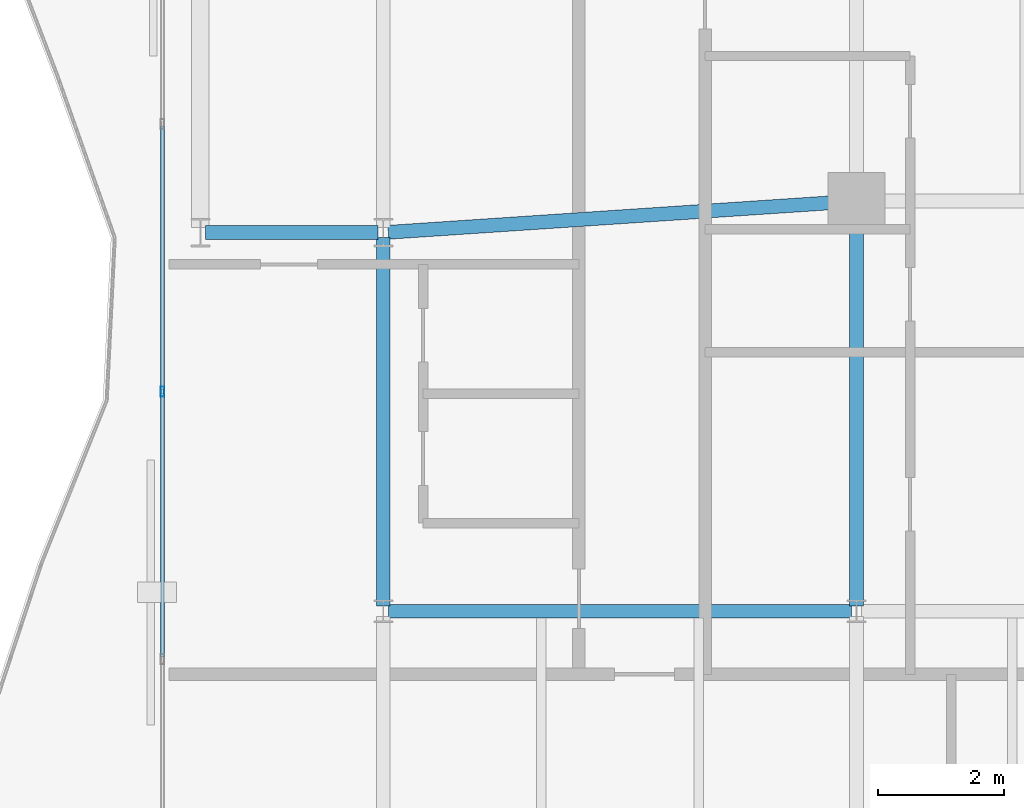
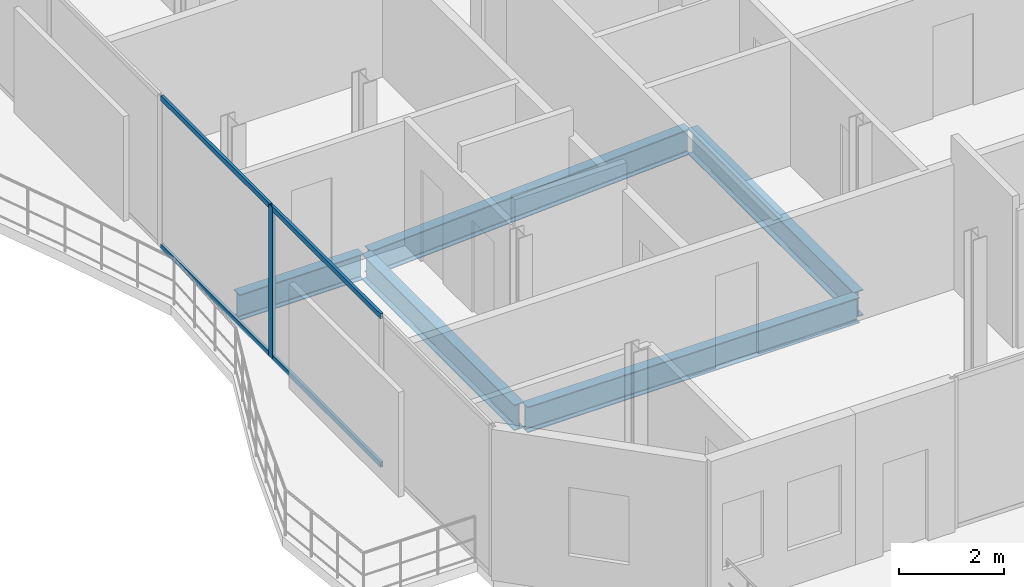
# One storey, part 6 of 22: 5 beams, 5 members, 1 element without a shape of its own.
"""IFC4 building model written with IfcOpenShell, lengths in metres."""

from ifc_helpers import new_model, si_unit, direction, frame, origin, origin_2d, place, context, subcontext, project, spatial, hollow_rectangle, i_section, extrude, material, layer, layer_set, material_profile, profile_set, type_object, element, aggregate, save


model = new_model("IFC4")

# Units and contexts
model_context = context("Model", 3, precision=1e-05, world=origin(), true_north=direction((0.0, 1.0)))
body_context = subcontext(model_context, "Body", "Model", "MODEL_VIEW")
ifc_project = project(units=[si_unit("LENGTHUNIT", "METRE"), si_unit("AREAUNIT", "SQUARE_METRE"), si_unit("VOLUMEUNIT", "CUBIC_METRE"), si_unit("PLANEANGLEUNIT", "RADIAN"), si_unit("MASSUNIT", "GRAM", prefix="KILO")], contexts=[model_context])

# Site, building, storey
site_placement = place(None, origin())
site = spatial("IfcSite", under=ifc_project, at=site_placement, CompositionType="ELEMENT")
building_placement = place(site_placement, origin())
building = spatial("IfcBuilding", under=site, at=building_placement, Name="Catumbela Crestline Tower", CompositionType="ELEMENT")
storey_placement = place(building_placement, frame((0.0, 0.0, 226.0)))
storey = spatial("IfcBuildingStorey", under=building, at=storey_placement, Name="L58", CompositionType="ELEMENT", Elevation=226.0)

# Beams
ifc_material_1 = material(Name="Structural steel S355J2", Category="steel")
ifc_material_profile_1 = material_profile(ifc_material_1, i_section(OverallWidth=0.22, OverallDepth=0.6, WebThickness=0.012, FlangeThickness=0.019, FilletRadius=0.024, at=origin_2d()), Name="IPE 600")
ifc_profile_set_1 = profile_set([ifc_material_profile_1], Name="Structural steel S355J2")
beam_type = type_object("IfcBeamType", Name="BG-IPE600", PredefinedType="BEAM", material=ifc_profile_set_1)
beam_1_placement = place(storey_placement, frame((5.68, 24.0, -0.56), z_axis=(1.0, 0.0, 0.0), x_axis=(0.0, 1.0, 0.0)))
element("IfcBeam", 1, at=beam_1_placement, inside=storey, type_object=beam_type, Name="L58 Beam BM-L58-S01", PredefinedType="BEAM", context=body_context, shape_type="SweptSolid", body=[
    extrude(i_section(OverallWidth=0.22, OverallDepth=0.6, WebThickness=0.012, FlangeThickness=0.019, FilletRadius=0.024, at=origin_2d()), origin(), (0.0, 0.0, 1.0), 2.74),
])
beam_2_placement = place(storey_placement, frame((8.5798, 24.0053, -0.56), z_axis=(0.997784796964, 0.066524423687, 0.0), x_axis=(-0.066524423687, 0.997784796964, 0.0)))
element("IfcBeam", 2, at=beam_2_placement, inside=storey, type_object=beam_type, Name="L58 Beam BM-L58-S02", PredefinedType="BEAM", context=body_context, shape_type="SweptSolid", body=[
    extrude(i_section(OverallWidth=0.22, OverallDepth=0.6, WebThickness=0.012, FlangeThickness=0.019, FilletRadius=0.024, at=origin_2d()), origin(), (0.0, 0.0, 1.0), 7.3567),
])
beam_3_placement = place(storey_placement, frame((8.58, 18.0, -0.56), z_axis=(1.0, 0.0, 0.0), x_axis=(0.0, 1.0, 0.0)))
element("IfcBeam", 3, at=beam_3_placement, inside=storey, type_object=beam_type, Name="L58 Beam BM-L58-WEW29", PredefinedType="BEAM", context=body_context, shape_type="SweptSolid", body=[
    extrude(i_section(OverallWidth=0.22, OverallDepth=0.6, WebThickness=0.012, FlangeThickness=0.019, FilletRadius=0.024, at=origin_2d()), origin(), (0.0, 0.0, 1.0), 7.34),
])
beam_4_placement = place(storey_placement, frame((8.5, 18.08, -0.56), z_axis=(0.0, 1.0, 0.0), x_axis=(-1.0, 0.0, 0.0)))
element("IfcBeam", 4, at=beam_4_placement, inside=storey, type_object=beam_type, Name="L58 Beam BM-L58-WNS32", PredefinedType="BEAM", context=body_context, shape_type="SweptSolid", body=[
    extrude(i_section(OverallWidth=0.22, OverallDepth=0.6, WebThickness=0.012, FlangeThickness=0.019, FilletRadius=0.024, at=origin_2d()), origin(), (0.0, 0.0, 1.0), 5.84),
])
beam_5_placement = place(storey_placement, frame((16.0, 18.08, -0.56), z_axis=(0.0, 1.0, 0.0), x_axis=(-1.0, 0.0, 0.0)))
element("IfcBeam", 5, at=beam_5_placement, inside=storey, type_object=beam_type, Name="L58 Beam BM-L58-WNS34", PredefinedType="BEAM", context=body_context, shape_type="SweptSolid", body=[
    extrude(i_section(OverallWidth=0.22, OverallDepth=0.6, WebThickness=0.012, FlangeThickness=0.019, FilletRadius=0.024, at=origin_2d()), origin(), (0.0, 0.0, 1.0), 6.34),
])

# Curtain wall, members
ifc_material_2 = material(Name="Aluminium alloy AW-6060-T66", Category="aluminium")
ifc_layer = layer(ifc_material_2, 0.18, Name="Aluminium alloy AW-6060-T66")
ifc_layer_set = layer_set([ifc_layer], Name="Aluminium alloy AW-6060-T66")
curtain_wall_type = type_object("IfcCurtainWallType", Name="CWU-Z4", PredefinedType="USERDEFINED", material=ifc_layer_set)
curtain_wall_placement = place(storey_placement, origin())
curtain_wall = element("IfcCurtainWall", 6, at=curtain_wall_placement, inside=storey, type_object=curtain_wall_type, Name="L58 Unitised Curtain Wall CW-L58-E9S2", ObjectType="UNITISED", PredefinedType="USERDEFINED")
ifc_material_profile_2 = material_profile(ifc_material_2, hollow_rectangle(XDim=0.06, YDim=0.16, WallThickness=0.004, at=origin_2d()), Name="ALU 160x60x4")
ifc_profile_set_2 = profile_set([ifc_material_profile_2], Name="Aluminium alloy AW-6060-T66")
member_type_1 = type_object("IfcMemberType", Name="MUL-160X60", PredefinedType="MULLION", material=ifc_profile_set_2)
member_1_placement = place(storey_placement, frame((5.0, 21.48, 0.0), z_axis=(0.0, 0.0, 1.0), x_axis=(1.0, 0.0, 0.0)))
member_1 = element("IfcMember", 7, at=member_1_placement, type_object=member_type_1, Name="CWU-Z4 mullion 4", PredefinedType="MULLION", context=body_context, shape_type="SweptSolid", body=[
    extrude(hollow_rectangle(XDim=0.06, YDim=0.16, WallThickness=0.004, at=origin_2d()), origin(), (0.0, 0.0, 1.0), 3.53),
])
ifc_material_profile_3 = material_profile(ifc_material_2, hollow_rectangle(XDim=0.06, YDim=0.12, WallThickness=0.0035, at=origin_2d()), Name="ALU 120x60x3.5")
ifc_profile_set_3 = profile_set([ifc_material_profile_3], Name="Aluminium alloy AW-6060-T66")
member_type_2 = type_object("IfcMemberType", Name="TRN-120X60", PredefinedType="USERDEFINED", material=ifc_profile_set_3)
member_2_placement = place(storey_placement, frame((5.0, 25.6875, 0.03), z_axis=(0.0, -1.0, 0.0), x_axis=(1.0, 0.0, 0.0)))
member_2 = element("IfcMember", 8, at=member_2_placement, type_object=member_type_2, Name="CWU-Z4 transom 3.1", ObjectType="TRANSOM", PredefinedType="USERDEFINED", context=body_context, shape_type="SweptSolid", body=[
    extrude(hollow_rectangle(XDim=0.06, YDim=0.12, WallThickness=0.0035, at=origin_2d()), origin(), (0.0, 0.0, 1.0), 4.175),
])
member_3_placement = place(storey_placement, frame((5.0, 25.6875, 3.5), z_axis=(0.0, -1.0, 0.0), x_axis=(1.0, 0.0, 0.0)))
member_3 = element("IfcMember", 9, at=member_3_placement, type_object=member_type_2, Name="CWU-Z4 transom 3.2", ObjectType="TRANSOM", PredefinedType="USERDEFINED", context=body_context, shape_type="SweptSolid", body=[
    extrude(hollow_rectangle(XDim=0.06, YDim=0.12, WallThickness=0.0035, at=origin_2d()), origin(), (0.0, 0.0, 1.0), 4.175),
])
member_4_placement = place(storey_placement, frame((5.0, 21.4475, 0.03), z_axis=(0.0, -1.0, 0.0), x_axis=(1.0, 0.0, 0.0)))
member_4 = element("IfcMember", 10, at=member_4_placement, type_object=member_type_2, Name="CWU-Z4 transom 4.1", ObjectType="TRANSOM", PredefinedType="USERDEFINED", context=body_context, shape_type="SweptSolid", body=[
    extrude(hollow_rectangle(XDim=0.06, YDim=0.12, WallThickness=0.0035, at=origin_2d()), origin(), (0.0, 0.0, 1.0), 4.175),
])
member_5_placement = place(storey_placement, frame((5.0, 21.4475, 3.5), z_axis=(0.0, -1.0, 0.0), x_axis=(1.0, 0.0, 0.0)))
member_5 = element("IfcMember", 11, at=member_5_placement, type_object=member_type_2, Name="CWU-Z4 transom 4.2", ObjectType="TRANSOM", PredefinedType="USERDEFINED", context=body_context, shape_type="SweptSolid", body=[
    extrude(hollow_rectangle(XDim=0.06, YDim=0.12, WallThickness=0.0035, at=origin_2d()), origin(), (0.0, 0.0, 1.0), 4.175),
])
aggregate(curtain_wall, [member_1, member_2, member_3, member_4, member_5])

save(model, "model.ifc")
